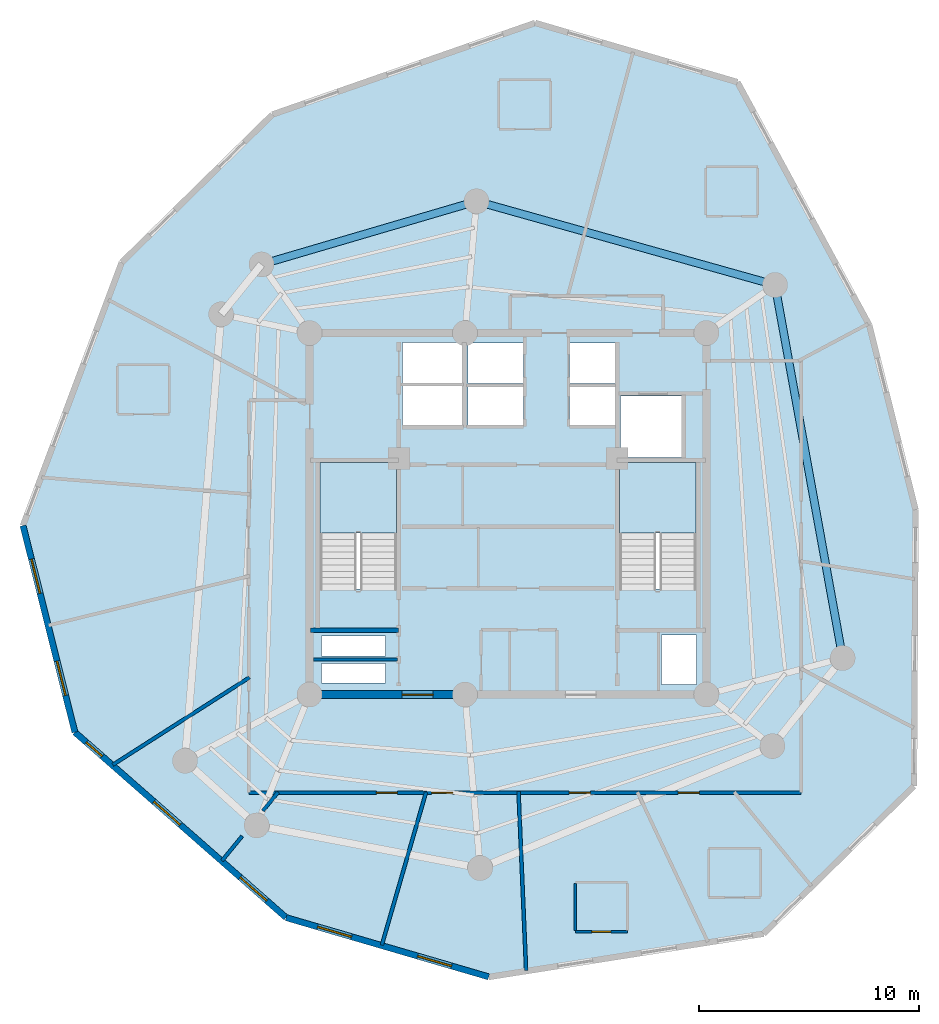
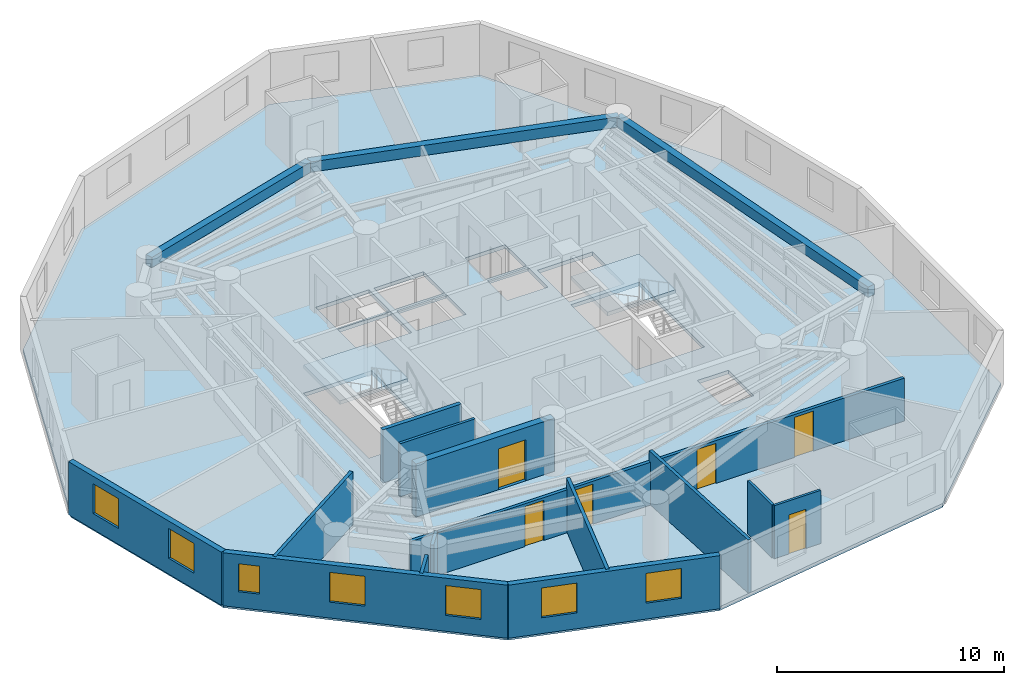
# One storey, part 2 of 7: 14 walls, 7 windows, 6 doors, 3 beams, 3 slabs, 13 openings, 2 elements without a shape of their own.
"""IFC4 building model written with IfcOpenShell, lengths in metres."""

import ifcopenshell
import ifcopenshell.guid

model = None  # the IFC model being written
_history = None  # IfcOwnerHistory: only IFC2X3 demands one
_inside = {}  # id of a spatial element -> (the spatial element, [elements in it])
_under = {}  # id of a project, library or spatial element -> (it, [spatial elements below it])
_declared = {}  # id of a project -> (the project, [libraries it declares])
_typed = {}  # id of a type object -> (the type object, [elements of that type])
_made_of = {}  # id of a material, layer set ... -> (it, [elements and type objects made of it])


def new_model(schema):
    """Start an empty IFC model of exactly this schema.

    Asked for "IFC4X3", IfcOpenShell would pick the latest addendum, in which some entities
    have other attributes; the version numbers below select the first issue.
    IFC2X3 requires an IfcOwnerHistory on every rooted entity: one is made here for all.
    """
    global model, _history
    if schema == "IFC4X3":
        model = ifcopenshell.file(schema_version=(4, 3, 0, 0))
    else:
        model = ifcopenshell.file(schema=schema)
    _inside.clear()
    _under.clear()
    _declared.clear()
    _typed.clear()
    _made_of.clear()
    _history = None
    if model.schema == "IFC2X3":
        org = make("IfcOrganization", Name="unknown")
        user = make(
            "IfcPersonAndOrganization",
            ThePerson=make("IfcPerson", FamilyName="unknown"),
            TheOrganization=org,
        )
        app = make(
            "IfcApplication",
            ApplicationDeveloper=org,
            Version="unknown",
            ApplicationFullName="unknown",
            ApplicationIdentifier="unknown",
        )
        _history = make(
            "IfcOwnerHistory",
            OwningUser=user,
            OwningApplication=app,
            ChangeAction="ADDED",
            CreationDate=0,
        )
    return model


def make(cls, **values):
    """One entity of the class cls with the attributes given. An attribute that is None is left unset."""
    return model.create_entity(
        cls, **{name: value for name, value in values.items() if value is not None}
    )


def rooted(cls, **values):
    """An entity with a GlobalId (a new one), such as an element, a storey or a relation."""
    return make(cls, GlobalId=ifcopenshell.guid.new(), OwnerHistory=_history, **values)


def si_unit(unit_type, name, prefix=None):
    """IfcSIUnit, for example si_unit("LENGTHUNIT", "METRE", prefix="MILLI")."""
    return make("IfcSIUnit", UnitType=unit_type, Prefix=prefix, Name=name)


def assignment(units):
    """IfcUnitAssignment: the units of a project."""
    return None if units is None else make("IfcUnitAssignment", Units=units)


def point(xyz):
    """IfcCartesianPoint."""
    return None if xyz is None else make("IfcCartesianPoint", Coordinates=xyz)


def direction(xyz):
    """IfcDirection."""
    return None if xyz is None else make("IfcDirection", DirectionRatios=xyz)


def frame(location, z_axis=None, x_axis=None):
    """IfcAxis2Placement3D, a coordinate frame: its origin and axes. An axis left out is left unset."""
    return make(
        "IfcAxis2Placement3D",
        Location=point(location),
        Axis=direction(z_axis),
        RefDirection=direction(x_axis),
    )


def frame_2d(location, x_axis=None):
    """IfcAxis2Placement2D, a coordinate frame in the plane: its origin and x axis."""
    return make(
        "IfcAxis2Placement2D", Location=point(location), RefDirection=direction(x_axis)
    )


def origin():
    """The frame at (0, 0, 0) with its axes left unset."""
    return frame((0.0, 0.0, 0.0))


def origin_with_axes():
    """The frame at (0, 0, 0) with the z axis (0, 0, 1) and the x axis (1, 0, 0) written out."""
    return frame((0.0, 0.0, 0.0), z_axis=(0.0, 0.0, 1.0), x_axis=(1.0, 0.0, 0.0))


def origin_2d():
    """The frame at (0, 0) in the plane with its x axis left unset."""
    return frame_2d((0.0, 0.0))


def place(relative_to, where):
    """IfcLocalPlacement: puts the frame where relative to a parent placement (None: the world)."""
    return make(
        "IfcLocalPlacement", PlacementRelTo=relative_to, RelativePlacement=where
    )


def context(
    kind, dimensions, precision=None, world=None, true_north=None, identifier=None
):
    """IfcGeometricRepresentationContext, for example the 3D "Model" context."""
    return make(
        "IfcGeometricRepresentationContext",
        ContextIdentifier=identifier,
        ContextType=kind,
        CoordinateSpaceDimension=dimensions,
        Precision=precision,
        WorldCoordinateSystem=world,
        TrueNorth=true_north,
    )


def subcontext(parent, identifier, kind, view, scale=None):
    """IfcGeometricRepresentationSubContext, for example "Body" below "Model"."""
    return make(
        "IfcGeometricRepresentationSubContext",
        ContextIdentifier=identifier,
        ContextType=kind,
        ParentContext=parent,
        TargetScale=scale,
        TargetView=view,
    )


def project(units=None, contexts=None):
    """IfcProject with its units and contexts."""
    return rooted(
        "IfcProject",
        Name="project",
        RepresentationContexts=contexts,
        UnitsInContext=assignment(units),
    )


def spatial(cls, under=None, at=None, **own):
    """A site, building, storey or space (cls), placed at a placement, below another one or the project."""
    s = rooted(cls, ObjectPlacement=at, **own)
    if under is not None:
        _under.setdefault(under.id(), (under, []))[1].append(s)
    return s


def polyline(points):
    """IfcPolyline through the points."""
    return make("IfcPolyline", Points=[point(p) for p in points])


def profile(cls, at=None, kind="AREA", **sizes):
    """A parametric profile (cls). Its sizes go by their IFC names, for example OverallWidth=200.0."""
    return make(cls, ProfileType=kind, Position=at, **sizes)


def rectangle(**sizes):
    """IfcRectangleProfileDef."""
    return profile("IfcRectangleProfileDef", **sizes)


def outline(outer, holes=None, kind="AREA"):
    """IfcArbitraryClosedProfileDef: a profile drawn as a closed curve; with holes, ...WithVoids."""
    if holes is None:
        return make("IfcArbitraryClosedProfileDef", ProfileType=kind, OuterCurve=outer)
    return make(
        "IfcArbitraryProfileDefWithVoids",
        ProfileType=kind,
        OuterCurve=outer,
        InnerCurves=holes,
    )


def extrude(swept, where, along, depth):
    """IfcExtrudedAreaSolid: the profile swept, set in the frame where, extruded along a direction by depth."""
    return make(
        "IfcExtrudedAreaSolid",
        SweptArea=swept,
        Position=where,
        ExtrudedDirection=direction(along),
        Depth=depth,
    )


def shape(context_of_items, identifier, shape_type, items):
    """IfcShapeRepresentation: the items that make up one representation, for example the "Body"."""
    return make(
        "IfcShapeRepresentation",
        ContextOfItems=context_of_items,
        RepresentationIdentifier=identifier,
        RepresentationType=shape_type,
        Items=items,
    )


def source(mapping_origin, context_of_items, identifier, shape_type, items):
    """IfcRepresentationMap: a shape defined once, which mapped items show again and again."""
    return make(
        "IfcRepresentationMap",
        MappingOrigin=mapping_origin,
        MappedRepresentation=shape(context_of_items, identifier, shape_type, items),
    )


def transform(
    local_origin,
    x_axis=None,
    y_axis=None,
    z_axis=None,
    scale=None,
    scale2=None,
    scale3=None,
    uniform=True,
):
    """IfcCartesianTransformationOperator3D, or its non-uniform kind. x_axis, y_axis, z_axis: its Axis1, 2, 3."""
    if uniform:
        return make(
            "IfcCartesianTransformationOperator3D",
            Axis1=direction(x_axis),
            Axis2=direction(y_axis),
            LocalOrigin=point(local_origin),
            Scale=scale,
            Axis3=direction(z_axis),
        )
    return make(
        "IfcCartesianTransformationOperator3DnonUniform",
        Axis1=direction(x_axis),
        Axis2=direction(y_axis),
        LocalOrigin=point(local_origin),
        Scale=scale,
        Axis3=direction(z_axis),
        Scale2=scale2,
        Scale3=scale3,
    )


def mapped(mapping_source, mapping_target):
    """IfcMappedItem: shows the shape of a source again, moved by a transform."""
    return make(
        "IfcMappedItem", MappingSource=mapping_source, MappingTarget=mapping_target
    )


def material(Name=None, Category=None):
    """IfcMaterial."""
    return make("IfcMaterial", Name=Name, Category=Category)


def layer(
    of_material, thickness, ventilated=None, Name=None, Category=None, Priority=None
):
    """IfcMaterialLayer: one layer of a wall or slab, of a material (None: an air gap)."""
    return make(
        "IfcMaterialLayer",
        Material=of_material,
        LayerThickness=thickness,
        IsVentilated=ventilated,
        Name=Name,
        Category=Category,
        Priority=Priority,
    )


def layer_set(layers, Name=None):
    """IfcMaterialLayerSet."""
    return make("IfcMaterialLayerSet", MaterialLayers=layers, LayerSetName=Name)


def material_profile(
    of_material, cross_section, Name=None, Category=None, Priority=None
):
    """IfcMaterialProfile: a cross section and its material."""
    return make(
        "IfcMaterialProfile",
        Name=Name,
        Material=of_material,
        Profile=cross_section,
        Priority=Priority,
        Category=Category,
    )


def profile_set(profiles, Name=None, composite=None):
    """IfcMaterialProfileSet."""
    return make(
        "IfcMaterialProfileSet",
        Name=Name,
        MaterialProfiles=profiles,
        CompositeProfile=composite,
    )


def made_of(thing, what):
    """Note that an element or type object is made of a material, layer set ...; save() writes the relation."""
    if what is not None:
        _made_of.setdefault(what.id(), (what, []))[1].append(thing)
    return thing


def type_object(cls, material=None, **own):
    """A type object (cls), such as IfcWallType, which elements share."""
    return made_of(rooted(cls, **own), material)


def element(
    cls,
    number,
    at=None,
    inside=None,
    cuts=None,
    type_object=None,
    material=None,
    context=None,
    identifier="Body",
    shape_type=None,
    held_by="IfcProductDefinitionShape",
    body=None,
    shapes=None,
    **own,
):
    """One element of the class cls, such as IfcWall. Its Tag is "e" and its number.

    at: its placement. inside: the storey or other place that contains it. cuts: it is an
    opening in that element (IfcRelVoidsElement). A single representation is given by context,
    identifier, shape_type and body (its items); several are given by shapes. held_by: the class
    of the entity that holds the representations. save() writes the other relations.
    """
    e = rooted(cls, Tag="e%d" % number, ObjectPlacement=at, **own)
    if body is not None:
        shapes = [shape(context, identifier, shape_type, body)]
    if shapes is not None:
        e.Representation = make(held_by, Representations=shapes)
    if inside is not None:
        _inside.setdefault(inside.id(), (inside, []))[1].append(e)
    if cuts is not None:
        rooted(
            "IfcRelVoidsElement", RelatingBuildingElement=cuts, RelatedOpeningElement=e
        )
    if type_object is not None:
        _typed.setdefault(type_object.id(), (type_object, []))[1].append(e)
    return made_of(e, material)


def fill(opening, filler):
    """IfcRelFillsElement: the door or window that sits in an opening."""
    return rooted(
        "IfcRelFillsElement",
        RelatingOpeningElement=opening,
        RelatedBuildingElement=filler,
    )


def aggregate(whole, parts):
    """IfcRelAggregates: a whole, such as a stair, and the parts it consists of."""
    return rooted("IfcRelAggregates", RelatingObject=whole, RelatedObjects=parts)


def save(model, path):
    """Write the relations noted so far, then the file.

    IfcRelAggregates (storeys below a building ...), IfcRelContainedInSpatialStructure (elements
    in a storey), IfcRelDefinesByType, IfcRelAssociatesMaterial and IfcRelDeclares: one each for
    every whole, place, type object, material and project.
    """
    for whole, parts in _under.values():
        aggregate(whole, parts)
    for where, things in _inside.values():
        rooted(
            "IfcRelContainedInSpatialStructure",
            RelatedElements=things,
            RelatingStructure=where,
        )
    for kind, things in _typed.values():
        rooted("IfcRelDefinesByType", RelatedObjects=things, RelatingType=kind)
    for what, things in _made_of.values():
        rooted("IfcRelAssociatesMaterial", RelatedObjects=things, RelatingMaterial=what)
    for by, libraries in _declared.values():
        rooted("IfcRelDeclares", RelatingContext=by, RelatedDefinitions=libraries)
    model.write(path)


model = new_model("IFC4")

# Units and contexts
model_context = context("Model", 3, precision=1e-05, world=origin(), true_north=direction((0.0, 1.0)))
body_context = subcontext(model_context, "Body", "Model", "MODEL_VIEW")
ifc_project = project(units=[si_unit("LENGTHUNIT", "METRE"), si_unit("AREAUNIT", "SQUARE_METRE"), si_unit("VOLUMEUNIT", "CUBIC_METRE"), si_unit("PLANEANGLEUNIT", "RADIAN"), si_unit("MASSUNIT", "GRAM", prefix="KILO")], contexts=[model_context])

# Site, building, storey
site_placement = place(None, origin())
site = spatial("IfcSite", under=ifc_project, at=site_placement, CompositionType="ELEMENT")
building_placement = place(site_placement, origin())
building = spatial("IfcBuilding", under=site, at=building_placement, Name="Karkom Vertical University and Central Library", CompositionType="ELEMENT")
storey_placement = place(building_placement, frame((0.0, 0.0, 223.0)))
storey = spatial("IfcBuildingStorey", under=building, at=storey_placement, Name="L65", CompositionType="ELEMENT", Elevation=223.0)

# Beams
ifc_material_1 = material(Name="Precast concrete C45/55", Category="concrete")
ifc_material_profile = material_profile(ifc_material_1, rectangle(XDim=0.35009765625, YDim=0.550048828125, at=origin_2d()), Name="SPB-350x550")
ifc_profile_set = profile_set([ifc_material_profile], Name="Precast concrete C45/55")
beam_type = type_object("IfcBeamType", Name="STR-BM-SP-2", PredefinedType="SPANDREL", material=ifc_profile_set)
shared_shape_1 = source(origin_with_axes(), body_context, "Body", "SweptSolid", [
    extrude(rectangle(XDim=0.35009765625, YDim=0.550048828125, at=origin_2d()), origin(), (0.0, 0.0, 1.0), 17.19970703125),
])
beam_1_placement = place(storey_placement, frame((43.681884765625, 19.9560546875, 2.574951171875), z_axis=(-0.178423249727, 0.983953832228, 0.0), x_axis=(-0.983953832228, -0.178423249727, 0.0)))
element("IfcBeam", 1, at=beam_1_placement, inside=storey, type_object=beam_type, Name="Level 65 Perimeter Spandrel Beam 01", PredefinedType="SPANDREL", context=body_context, shape_type="MappedRepresentation", body=[
    mapped(shared_shape_1, transform((0.0, 0.0, 0.0), scale=1.0)),
])
shared_shape_2 = source(origin_with_axes(), body_context, "Body", "SweptSolid", [
    extrude(rectangle(XDim=0.35009765625, YDim=0.550048828125, at=origin_2d()), origin(), (0.0, 0.0, 1.0), 14.0625),
])
beam_2_placement = place(storey_placement, frame((40.613037109375, 36.8798828125, 2.574951171875), z_axis=(-0.962854853531, 0.270019501207, 0.0), x_axis=(-0.270019501207, -0.962854853531, 0.0)))
element("IfcBeam", 2, at=beam_2_placement, inside=storey, type_object=beam_type, Name="Level 65 Perimeter Spandrel Beam 02", PredefinedType="SPANDREL", context=body_context, shape_type="MappedRepresentation", body=[
    mapped(shared_shape_2, transform((0.0, 0.0, 0.0), scale=1.0)),
])
shared_shape_3 = source(origin_with_axes(), body_context, "Body", "SweptSolid", [
    extrude(rectangle(XDim=0.35009765625, YDim=0.550048828125, at=origin_2d()), origin(), (0.0, 0.0, 1.0), 10.164794921875),
])
beam_3_placement = place(storey_placement, frame((27.072998046875, 40.677001953125, 2.574951171875), z_axis=(-0.959485124536, -0.281759286971, 0.0), x_axis=(0.281759286971, -0.959485124536, 0.0)))
element("IfcBeam", 3, at=beam_3_placement, inside=storey, type_object=beam_type, Name="Level 65 Perimeter Spandrel Beam 03", PredefinedType="SPANDREL", context=body_context, shape_type="MappedRepresentation", body=[
    mapped(shared_shape_3, transform((0.0, 0.0, 0.0), scale=1.0)),
])

# Stair, slab
ifc_material_2 = material(Name="Concrete C45/55", Category="concrete")
stair_type = type_object("IfcStairType", Name="INT-STR-ST-MAIN", PredefinedType="HALF_TURN_STAIR", material=ifc_material_2)
stair_1_placement = place(storey_placement, origin())
stair_1 = element("IfcStair", 4, at=stair_1_placement, inside=storey, type_object=stair_type, Name="Level 65 Tower Protected Exit Stair ST-1", PredefinedType="HALF_TURN_STAIR")
ifc_layer_1 = layer(ifc_material_2, 0.199951171875)
ifc_layer_set_1 = layer_set([ifc_layer_1], Name="Concrete C45/55")
slab_type_1 = type_object("IfcSlabType", Name="INT-SLB-LANDING", PredefinedType="LANDING", material=ifc_layer_set_1)
slab_1_placement = place(storey_placement, frame((0.0, 0.0, 1.324951171875)))
slab_1 = element("IfcSlab", 5, at=slab_1_placement, type_object=slab_type_1, Name="ST-1 landing 1", PredefinedType="LANDING", context=body_context, shape_type="SweptSolid", body=[
    extrude(outline(polyline([(23.43994140625, 25.6298828125), (23.43994140625, 28.820068359375), (19.97998046875, 28.820068359375), (19.97998046875, 25.6298828125), (23.43994140625, 25.6298828125)])), origin(), (0.0, 0.0, 1.0), 0.199951171875),
])
aggregate(stair_1, [slab_1])

stair_2_placement = place(storey_placement, origin())
stair_2 = element("IfcStair", 6, at=stair_2_placement, inside=storey, type_object=stair_type, Name="Level 65 Tower Protected Exit Stair ST-2", PredefinedType="HALF_TURN_STAIR")
slab_2_placement = place(storey_placement, frame((0.0, 0.0, 1.324951171875)))
slab_2 = element("IfcSlab", 7, at=slab_2_placement, type_object=slab_type_1, Name="ST-2 landing 1", PredefinedType="LANDING", context=body_context, shape_type="SweptSolid", body=[
    extrude(outline(polyline([(37.02001953125, 25.6298828125), (37.02001953125, 28.820068359375), (33.56005859375, 28.820068359375), (33.56005859375, 25.6298828125), (37.02001953125, 25.6298828125)])), origin(), (0.0, 0.0, 1.0), 0.199951171875),
])
aggregate(stair_2, [slab_2])

# Slab
ifc_material_3 = material(Name="Concrete C40/50", Category="concrete")
ifc_layer_2 = layer(ifc_material_3, 0.199951171875)
ifc_layer_set_2 = layer_set([ifc_layer_2], Name="Concrete C40/50")
slab_type_2 = type_object("IfcSlabType", Name="STR-SLB-FLR-200", PredefinedType="FLOOR", material=ifc_layer_set_2)
slab_3_placement = place(storey_placement, frame((0.0, 0.0, -0.199951171875)))
element("IfcSlab", 8, at=slab_3_placement, inside=storey, type_object=slab_type_2, Name="Level 65 Tower Structural Floor Slab", PredefinedType="FLOOR", context=body_context, shape_type="SweptSolid", body=[
    extrude(outline(polyline([(6.50146484375, 25.96484375), (8.852783203125, 16.58984375), (18.435791015625, 8.179931640625), (27.626708984375, 5.491943359375), (40.093994140625, 7.45361328125), (46.914306640625, 14.146484375), (46.985107421875, 26.68798828125), (44.8857421875, 35.05810546875), (38.904541015625, 46.08154296875), (29.733154296875, 48.763671875), (17.815673828125, 44.609375), (10.981201171875, 37.902099609375), (6.50146484375, 25.96484375)]), holes=[polyline([(19.97998046875, 23.0849609375), (23.43994140625, 23.0849609375), (23.43994140625, 28.820068359375), (19.97998046875, 28.820068359375), (19.97998046875, 23.0849609375)]), polyline([(33.56005859375, 23.0849609375), (37.02001953125, 23.0849609375), (37.02001953125, 28.820068359375), (33.56005859375, 28.820068359375), (33.56005859375, 23.0849609375)]), polyline([(26.679931640625, 30.5), (29.199951171875, 30.5), (29.199951171875, 32.25), (26.679931640625, 32.25), (26.679931640625, 30.5)]), polyline([(26.679931640625, 32.39990234375), (29.199951171875, 32.39990234375), (29.199951171875, 34.25), (26.679931640625, 34.25), (26.679931640625, 32.39990234375)]), polyline([(31.300048828125, 30.5), (33.35009765625, 30.5), (33.35009765625, 32.25), (31.300048828125, 32.25), (31.300048828125, 30.5)]), polyline([(31.300048828125, 32.39990234375), (33.35009765625, 32.39990234375), (33.35009765625, 34.25), (31.300048828125, 34.25), (31.300048828125, 32.39990234375)]), polyline([(23.719970703125, 30.47998046875), (26.429931640625, 30.47998046875), (26.429931640625, 32.320068359375), (23.719970703125, 32.320068359375), (23.719970703125, 30.47998046875)]), polyline([(23.719970703125, 32.419921875), (26.429931640625, 32.419921875), (26.429931640625, 34.260009765625), (23.719970703125, 34.260009765625), (23.719970703125, 32.419921875)]), polyline([(33.60009765625, 29.050048828125), (36.39990234375, 29.050048828125), (36.39990234375, 31.85009765625), (33.60009765625, 31.85009765625), (33.60009765625, 29.050048828125)]), polyline([(20.050048828125, 18.820068359375), (22.949951171875, 18.820068359375), (22.949951171875, 19.719970703125), (20.050048828125, 19.719970703125), (20.050048828125, 18.820068359375)]), polyline([(20.050048828125, 20.06005859375), (22.949951171875, 20.06005859375), (22.949951171875, 20.9599609375), (20.050048828125, 20.9599609375), (20.050048828125, 20.06005859375)]), polyline([(35.4599609375, 18.760009765625), (37.0400390625, 18.760009765625), (37.0400390625, 21.010009765625), (35.4599609375, 21.010009765625), (35.4599609375, 18.760009765625)])]), origin(), (0.0, 0.0, 1.0), 0.199951171875),
])

# Wall, openings, windows
ifc_material_4 = material(Name="Brick-faced precast concrete C45/55", Category="masonry")
ifc_layer_3 = layer(ifc_material_4, 0.280029296875)
ifc_layer_set_3 = layer_set([ifc_layer_3], Name="Brick-faced precast concrete C45/55")
wall_type_1 = type_object("IfcWallType", Name="ENV-WL-BRK-280", PredefinedType="SOLIDWALL", material=ifc_layer_set_3)
wall_1_placement = place(storey_placement, frame((6.50146484375, 25.96484375, 0.0), z_axis=(0.0, 0.0, 1.0), x_axis=(0.243272532929, -0.969957975751, 0.0)))
wall_1 = element("IfcWall", 9, at=wall_1_placement, inside=storey, type_object=wall_type_1, Name="Level 65 Brick-Faced Precast Facade Wall 01", PredefinedType="SOLIDWALL", context=body_context, shape_type="SweptSolid", body=[
    extrude(rectangle(XDim=9.665283203125, YDim=0.280029296875, at=frame_2d((4.83251953125, 0.0))), origin(), (0.0, 0.0, 1.0), 2.85009765625),
])
opening_1_placement = place(wall_1_placement, frame((1.5673828125, 0.0, 0.85009765625)))
opening_1 = element("IfcOpeningElement", 10, at=opening_1_placement, cuts=wall_1, Name="Opening WN-10", PredefinedType="OPENING", context=body_context, shape_type="SweptSolid", body=[
    extrude(rectangle(XDim=1.60009765625, YDim=1.60009765625, at=frame_2d((0.800048828125, 0.800048828125))), frame((0.0, 0.14990234375, 0.0), z_axis=(0.0, -1.0, 0.0), x_axis=(1.0, 0.0, 0.0)), (0.0, 0.0, 1.0), 0.300048828125),
])
opening_2_placement = place(wall_1_placement, frame((6.340087890625, 0.0, 0.85009765625)))
opening_2 = element("IfcOpeningElement", 11, at=opening_2_placement, cuts=wall_1, Name="Opening WN-10", PredefinedType="OPENING", context=body_context, shape_type="SweptSolid", body=[
    extrude(rectangle(XDim=1.60009765625, YDim=1.60009765625, at=frame_2d((0.800048828125, 0.800048828125))), frame((0.0, 0.14990234375, 0.0), z_axis=(0.0, -1.0, 0.0), x_axis=(1.0, 0.0, 0.0)), (0.0, 0.0, 1.0), 0.300048828125),
])
ifc_material_5 = material(Name="Aluminium thermal-break frame with solar-control IGU", Category="aluminium")
window_type_1 = type_object("IfcWindowType", Name="ENV-WIN-WN-10", PartitioningType="SINGLE_PANEL", PredefinedType="WINDOW", material=ifc_material_5)
shared_shape_4 = source(origin_with_axes(), body_context, "Body", "SweptSolid", [
    extrude(rectangle(XDim=1.60009765625, YDim=1.60009765625, at=frame_2d((0.800048828125, 0.800048828125))), frame((0.0, 0.030029296875, 0.0), z_axis=(0.0, -1.0, 0.0), x_axis=(1.0, 0.0, 0.0)), (0.0, 0.0, 1.0), 0.06005859375),
])
window_1_placement = place(opening_1_placement, origin())
window_1 = element("IfcWindow", 12, at=window_1_placement, inside=storey, type_object=window_type_1, Name="Level 65 Punched Window 1.1", OverallHeight=1.60009765625, OverallWidth=1.60009765625, PartitioningType="SINGLE_PANEL", PredefinedType="WINDOW", context=body_context, shape_type="MappedRepresentation", body=[
    mapped(shared_shape_4, transform((0.0, 0.0, 0.0), scale=1.0)),
])
fill(opening_1, window_1)
window_2_placement = place(opening_2_placement, origin())
window_2 = element("IfcWindow", 13, at=window_2_placement, inside=storey, type_object=window_type_1, Name="Level 65 Punched Window 1.2", OverallHeight=1.60009765625, OverallWidth=1.60009765625, PartitioningType="SINGLE_PANEL", PredefinedType="WINDOW", context=body_context, shape_type="MappedRepresentation", body=[
    mapped(shared_shape_4, transform((0.0, 0.0, 0.0), scale=1.0)),
])
fill(opening_2, window_2)

wall_2_placement = place(storey_placement, frame((8.852783203125, 16.58984375, 0.0), z_axis=(0.0, 0.0, 1.0), x_axis=(0.751612708567, -0.659604681851, 0.0)))
wall_2 = element("IfcWall", 14, at=wall_2_placement, inside=storey, type_object=wall_type_1, Name="Level 65 Brick-Faced Precast Facade Wall 02", PredefinedType="SOLIDWALL", context=body_context, shape_type="SweptSolid", body=[
    extrude(rectangle(XDim=12.75, YDim=0.280029296875, at=frame_2d((6.375, 0.0))), origin(), (0.0, 0.0, 1.0), 2.85009765625),
])
opening_3_placement = place(wall_2_placement, frame((0.69384765625, 0.0, 0.85009765625)))
opening_3 = element("IfcOpeningElement", 15, at=opening_3_placement, cuts=wall_2, Name="Opening WN-12", PredefinedType="OPENING", context=body_context, shape_type="SweptSolid", body=[
    extrude(rectangle(XDim=0.949951171875, YDim=1.5, at=frame_2d((0.47509765625, 0.75))), frame((0.0, 0.14990234375, 0.0), z_axis=(0.0, -1.0, 0.0), x_axis=(1.0, 0.0, 0.0)), (0.0, 0.0, 1.0), 0.300048828125),
])
opening_4_placement = place(wall_2_placement, frame((4.76806640625, 0.0, 0.85009765625)))
opening_4 = element("IfcOpeningElement", 16, at=opening_4_placement, cuts=wall_2, Name="Opening WN-10", PredefinedType="OPENING", context=body_context, shape_type="SweptSolid", body=[
    extrude(rectangle(XDim=1.60009765625, YDim=1.60009765625, at=frame_2d((0.800048828125, 0.800048828125))), frame((0.0, 0.14990234375, 0.0), z_axis=(0.0, -1.0, 0.0), x_axis=(1.0, 0.0, 0.0)), (0.0, 0.0, 1.0), 0.300048828125),
])
opening_5_placement = place(wall_2_placement, frame((9.97412109375, 0.0, 0.85009765625)))
opening_5 = element("IfcOpeningElement", 17, at=opening_5_placement, cuts=wall_2, Name="Opening WN-10", PredefinedType="OPENING", context=body_context, shape_type="SweptSolid", body=[
    extrude(rectangle(XDim=1.60009765625, YDim=1.60009765625, at=frame_2d((0.800048828125, 0.800048828125))), frame((0.0, 0.14990234375, 0.0), z_axis=(0.0, -1.0, 0.0), x_axis=(1.0, 0.0, 0.0)), (0.0, 0.0, 1.0), 0.300048828125),
])
window_type_2 = type_object("IfcWindowType", Name="ENV-WIN-WN-12", PartitioningType="SINGLE_PANEL", PredefinedType="WINDOW", material=ifc_material_5)
shared_shape_5 = source(origin_with_axes(), body_context, "Body", "SweptSolid", [
    extrude(rectangle(XDim=0.949951171875, YDim=1.5, at=frame_2d((0.47509765625, 0.75))), frame((0.0, 0.030029296875, 0.0), z_axis=(0.0, -1.0, 0.0), x_axis=(1.0, 0.0, 0.0)), (0.0, 0.0, 1.0), 0.06005859375),
])
window_3_placement = place(opening_3_placement, origin())
window_3 = element("IfcWindow", 18, at=window_3_placement, inside=storey, type_object=window_type_2, Name="Level 65 Punched Window 2.1", OverallHeight=1.5, OverallWidth=0.949951171875, PartitioningType="SINGLE_PANEL", PredefinedType="WINDOW", context=body_context, shape_type="MappedRepresentation", body=[
    mapped(shared_shape_5, transform((0.0, 0.0, 0.0), scale=1.0)),
])
fill(opening_3, window_3)
window_4_placement = place(opening_4_placement, origin())
window_4 = element("IfcWindow", 19, at=window_4_placement, inside=storey, type_object=window_type_1, Name="Level 65 Punched Window 2.2", OverallHeight=1.60009765625, OverallWidth=1.60009765625, PartitioningType="SINGLE_PANEL", PredefinedType="WINDOW", context=body_context, shape_type="MappedRepresentation", body=[
    mapped(shared_shape_4, transform((0.0, 0.0, 0.0), scale=1.0)),
])
fill(opening_4, window_4)
window_5_placement = place(opening_5_placement, origin())
window_5 = element("IfcWindow", 20, at=window_5_placement, inside=storey, type_object=window_type_1, Name="Level 65 Punched Window 2.3", OverallHeight=1.60009765625, OverallWidth=1.60009765625, PartitioningType="SINGLE_PANEL", PredefinedType="WINDOW", context=body_context, shape_type="MappedRepresentation", body=[
    mapped(shared_shape_4, transform((0.0, 0.0, 0.0), scale=1.0)),
])
fill(opening_5, window_5)

wall_3_placement = place(storey_placement, frame((18.435791015625, 8.179931640625, 0.0), z_axis=(0.0, 0.0, 1.0), x_axis=(0.95979471993, -0.28070285997, 0.0)))
wall_3 = element("IfcWall", 21, at=wall_3_placement, inside=storey, type_object=wall_type_1, Name="Level 65 Brick-Faced Precast Facade Wall 03", PredefinedType="SOLIDWALL", context=body_context, shape_type="SweptSolid", body=[
    extrude(rectangle(XDim=9.575927734375, YDim=0.280029296875, at=frame_2d((4.7880859375, 0.0))), origin(), (0.0, 0.0, 1.0), 2.85009765625),
])
opening_6_placement = place(wall_3_placement, frame((1.48828125, 0.0, 0.85009765625)))
opening_6 = element("IfcOpeningElement", 22, at=opening_6_placement, cuts=wall_3, Name="Opening WN-10", PredefinedType="OPENING", context=body_context, shape_type="SweptSolid", body=[
    extrude(rectangle(XDim=1.60009765625, YDim=1.60009765625, at=frame_2d((0.800048828125, 0.800048828125))), frame((0.0, 0.14990234375, 0.0), z_axis=(0.0, -1.0, 0.0), x_axis=(1.0, 0.0, 0.0)), (0.0, 0.0, 1.0), 0.300048828125),
])
opening_7_placement = place(wall_3_placement, frame((6.216552734375, 0.0, 0.85009765625)))
opening_7 = element("IfcOpeningElement", 23, at=opening_7_placement, cuts=wall_3, Name="Opening WN-10", PredefinedType="OPENING", context=body_context, shape_type="SweptSolid", body=[
    extrude(rectangle(XDim=1.60009765625, YDim=1.60009765625, at=frame_2d((0.800048828125, 0.800048828125))), frame((0.0, 0.14990234375, 0.0), z_axis=(0.0, -1.0, 0.0), x_axis=(1.0, 0.0, 0.0)), (0.0, 0.0, 1.0), 0.300048828125),
])
window_6_placement = place(opening_6_placement, origin())
window_6 = element("IfcWindow", 24, at=window_6_placement, inside=storey, type_object=window_type_1, Name="Level 65 Punched Window 3.1", OverallHeight=1.60009765625, OverallWidth=1.60009765625, PartitioningType="SINGLE_PANEL", PredefinedType="WINDOW", context=body_context, shape_type="MappedRepresentation", body=[
    mapped(shared_shape_4, transform((0.0, 0.0, 0.0), scale=1.0)),
])
fill(opening_6, window_6)
window_7_placement = place(opening_7_placement, origin())
window_7 = element("IfcWindow", 25, at=window_7_placement, inside=storey, type_object=window_type_1, Name="Level 65 Punched Window 3.2", OverallHeight=1.60009765625, OverallWidth=1.60009765625, PartitioningType="SINGLE_PANEL", PredefinedType="WINDOW", context=body_context, shape_type="MappedRepresentation", body=[
    mapped(shared_shape_4, transform((0.0, 0.0, 0.0), scale=1.0)),
])
fill(opening_7, window_7)

# Wall, openings, doors
ifc_material_6 = material(Name="Insulated metal-stud drywall 160mm", Category="gypsum")
ifc_layer_4 = layer(ifc_material_6, 0.159912109375)
ifc_layer_set_4 = layer_set([ifc_layer_4], Name="Insulated metal-stud drywall 160mm")
wall_type_2 = type_object("IfcWallType", Name="INT-WL-COR-160", PredefinedType="PARTITIONING", material=ifc_layer_set_4)
wall_4_placement = place(storey_placement, frame((41.800048828125, 13.85009765625, 0.0), z_axis=(0.0, 0.0, 1.0), x_axis=(-1.0, 0.0, 0.0)))
wall_4 = element("IfcWall", 26, at=wall_4_placement, inside=storey, type_object=wall_type_2, Name="Level 65 Interior Partition Wall L65-CORW-CW-001", PredefinedType="PARTITIONING", context=body_context, shape_type="SweptSolid", body=[
    extrude(rectangle(XDim=25.050048828125, YDim=0.159912109375, at=frame_2d((12.52490234375, 0.0))), origin(), (0.0, 0.0, 1.0), 2.300048828125),
])
opening_8_placement = place(wall_4_placement, frame((9.563232421875, 0.0, 0.0)))
opening_8 = element("IfcOpeningElement", 27, at=opening_8_placement, cuts=wall_4, Name="Opening FD-RM2", PredefinedType="OPENING", context=body_context, shape_type="SweptSolid", body=[
    extrude(rectangle(XDim=0.9599609375, YDim=2.14990234375, at=frame_2d((0.47998046875, 1.074951171875))), frame((0.0, 0.08984375, 0.0), z_axis=(0.0, -1.0, 0.0), x_axis=(1.0, 0.0, 0.0)), (0.0, 0.0, 1.0), 0.179931640625),
])
opening_9_placement = place(wall_4_placement, frame((4.620849609375, 0.0, 0.0)))
opening_9 = element("IfcOpeningElement", 28, at=opening_9_placement, cuts=wall_4, Name="Opening FD-RM2", PredefinedType="OPENING", context=body_context, shape_type="SweptSolid", body=[
    extrude(rectangle(XDim=0.9599609375, YDim=2.14990234375, at=frame_2d((0.47998046875, 1.074951171875))), frame((0.0, 0.08984375, 0.0), z_axis=(0.0, -1.0, 0.0), x_axis=(1.0, 0.0, 0.0)), (0.0, 0.0, 1.0), 0.179931640625),
])
opening_10_placement = place(wall_4_placement, frame((18.3125, 0.0, 0.0)))
opening_10 = element("IfcOpeningElement", 29, at=opening_10_placement, cuts=wall_4, Name="Opening FD-RM2", PredefinedType="OPENING", context=body_context, shape_type="SweptSolid", body=[
    extrude(rectangle(XDim=0.9599609375, YDim=2.14990234375, at=frame_2d((0.47998046875, 1.074951171875))), frame((0.0, 0.08984375, 0.0), z_axis=(0.0, -1.0, 0.0), x_axis=(1.0, 0.0, 0.0)), (0.0, 0.0, 1.0), 0.179931640625),
])
opening_11_placement = place(wall_4_placement, frame((15.8076171875, 0.0, 0.0)))
opening_11 = element("IfcOpeningElement", 30, at=opening_11_placement, cuts=wall_4, Name="Opening FD-RM2", PredefinedType="OPENING", context=body_context, shape_type="SweptSolid", body=[
    extrude(rectangle(XDim=0.9599609375, YDim=2.14990234375, at=frame_2d((0.47998046875, 1.074951171875))), frame((0.0, 0.08984375, 0.0), z_axis=(0.0, -1.0, 0.0), x_axis=(1.0, 0.0, 0.0)), (0.0, 0.0, 1.0), 0.179931640625),
])
ifc_material_7 = material(Name="Fire-rated oak veneer door", Category="wood")
door_type_1 = type_object("IfcDoorType", Name="INT-DR-FRM2", OperationType="NOTDEFINED", PredefinedType="DOOR", material=ifc_material_7)
shared_shape_6 = source(origin_with_axes(), body_context, "Body", "SweptSolid", [
    extrude(rectangle(XDim=0.9599609375, YDim=2.14990234375, at=frame_2d((0.47998046875, 1.074951171875))), frame((0.0, 0.02490234375, 0.0), z_axis=(0.0, -1.0, 0.0), x_axis=(1.0, 0.0, 0.0)), (0.0, 0.0, 1.0), 0.050048828125),
])
door_1_placement = place(opening_8_placement, origin())
door_1 = element("IfcDoor", 31, at=door_1_placement, inside=storey, type_object=door_type_1, Name="Level 65 Room Entry Door 410", OperationType="SINGLE_SWING_LEFT", OverallHeight=2.14990234375, OverallWidth=0.9599609375, PredefinedType="DOOR", context=body_context, shape_type="MappedRepresentation", body=[
    mapped(shared_shape_6, transform((0.0, 0.0, 0.0), scale=1.0)),
])
fill(opening_8, door_1)
door_2_placement = place(opening_9_placement, origin())
door_2 = element("IfcDoor", 32, at=door_2_placement, inside=storey, type_object=door_type_1, Name="Level 65 Room Entry Door 412", OperationType="SINGLE_SWING_LEFT", OverallHeight=2.14990234375, OverallWidth=0.9599609375, PredefinedType="DOOR", context=body_context, shape_type="MappedRepresentation", body=[
    mapped(shared_shape_6, transform((0.0, 0.0, 0.0), scale=1.0)),
])
fill(opening_9, door_2)
door_3_placement = place(opening_10_placement, origin())
door_3 = element("IfcDoor", 33, at=door_3_placement, inside=storey, type_object=door_type_1, Name="Level 65 Room Entry Door 303", OperationType="SINGLE_SWING_LEFT", OverallHeight=2.14990234375, OverallWidth=0.9599609375, PredefinedType="DOOR", context=body_context, shape_type="MappedRepresentation", body=[
    mapped(shared_shape_6, transform((0.0, 0.0, 0.0), scale=1.0)),
])
fill(opening_10, door_3)
door_4_placement = place(opening_11_placement, origin())
door_4 = element("IfcDoor", 34, at=door_4_placement, inside=storey, type_object=door_type_1, Name="Level 65 Room Entry Door 304", OperationType="SINGLE_SWING_RIGHT", OverallHeight=2.14990234375, OverallWidth=0.9599609375, PredefinedType="DOOR", context=body_context, shape_type="MappedRepresentation", body=[
    mapped(shared_shape_6, transform((0.0, 0.0, 0.0), scale=1.0)),
])
fill(opening_11, door_4)

# Walls
wall_5_placement = place(storey_placement, frame((28.97705078125, 13.89501953125, 0.0), z_axis=(0.0, 0.0, 1.0), x_axis=(0.042554955916, -0.999094127561, 0.0)))
element("IfcWall", 35, at=wall_5_placement, inside=storey, type_object=wall_type_2, Name="Level 65 Interior Partition Wall L65-PW-007", PredefinedType="PARTITIONING", context=body_context, shape_type="SweptSolid", body=[
    extrude(rectangle(XDim=8.117919921875, YDim=0.159912109375, at=frame_2d((4.05908203125, 0.0))), origin(), (0.0, 0.0, 1.0), 2.85009765625),
])
wall_6_placement = place(storey_placement, frame((16.775390625, 19.077392578125, 0.0), z_axis=(0.0, 0.0, 1.0), x_axis=(-0.842599652282, -0.538540458995, 0.0)))
element("IfcWall", 36, at=wall_6_placement, inside=storey, type_object=wall_type_2, Name="Level 65 Interior Partition Wall L65-PW-003", PredefinedType="PARTITIONING", context=body_context, shape_type="SweptSolid", body=[
    extrude(rectangle(XDim=7.358154296875, YDim=0.159912109375, at=frame_2d((3.67919921875, 0.0))), origin(), (0.0, 0.0, 1.0), 2.85009765625),
])
wall_7_placement = place(storey_placement, frame((24.78662109375, 13.87890625, 0.0), z_axis=(0.0, 0.0, 1.0), x_axis=(-0.277900595322, -0.960609837093, 0.0)))
element("IfcWall", 37, at=wall_7_placement, inside=storey, type_object=wall_type_2, Name="Level 65 Interior Partition Wall L65-PW-006", PredefinedType="PARTITIONING", context=body_context, shape_type="SweptSolid", body=[
    extrude(rectangle(XDim=7.2275390625, YDim=0.159912109375, at=frame_2d((3.61376953125, 0.0))), origin(), (0.0, 0.0, 1.0), 2.85009765625),
])
wall_8_placement = place(storey_placement, frame((16.443115234375, 11.880615234375, 0.0), z_axis=(0.0, 0.0, 1.0), x_axis=(-0.633956157385, -0.773368987298, 0.0)))
element("IfcWall", 38, at=wall_8_placement, inside=storey, type_object=wall_type_2, Name="Level 65 Interior Partition Wall L65-PW-005", PredefinedType="PARTITIONING", context=body_context, shape_type="SweptSolid", body=[
    extrude(rectangle(XDim=1.443115234375, YDim=0.159912109375, at=frame_2d((0.7216796875, 0.0))), origin(), (0.0, 0.0, 1.0), 2.85009765625),
])
wall_9_placement = place(storey_placement, frame((18.07568359375, 13.873291015625, 0.0), z_axis=(0.0, 0.0, 1.0), x_axis=(-0.633650360899, -0.773619557749, 0.0)))
element("IfcWall", 39, at=wall_9_placement, inside=storey, type_object=wall_type_2, Name="Level 65 Interior Partition Wall L65-PW-004", PredefinedType="PARTITIONING", context=body_context, shape_type="SweptSolid", body=[
    extrude(rectangle(XDim=1.095458984375, YDim=0.159912109375, at=frame_2d((0.5478515625, 0.0))), origin(), (0.0, 0.0, 1.0), 2.35009765625),
])

# Wall, opening, door
ifc_material_8 = material(Name="Moisture-resistant drywall 120mm", Category="gypsum")
ifc_layer_5 = layer(ifc_material_8, 0.1201171875)
ifc_layer_set_5 = layer_set([ifc_layer_5], Name="Moisture-resistant drywall 120mm")
wall_type_3 = type_object("IfcWallType", Name="INT-WL-INT-120F", PredefinedType="PARTITIONING", material=ifc_layer_set_5)
wall_10_placement = place(storey_placement, frame((31.55810546875, 7.5400390625, 0.0), z_axis=(0.0, 0.0, 1.0), x_axis=(1.0, 0.0, 0.0)))
wall_10 = element("IfcWall", 40, at=wall_10_placement, inside=storey, type_object=wall_type_3, Name="Level 65 Interior Partition Wall L65-ENS-45-S", PredefinedType="PARTITIONING", context=body_context, shape_type="SweptSolid", body=[
    extrude(rectangle(XDim=2.35986328125, YDim=0.1201171875, at=frame_2d((1.179931640625, 0.0))), origin(), (0.0, 0.0, 1.0), 2.85009765625),
])
opening_12_placement = place(wall_10_placement, frame((0.75, 0.0, 0.0)))
opening_12 = element("IfcOpeningElement", 41, at=opening_12_placement, cuts=wall_10, Name="Opening D-BATH", PredefinedType="OPENING", context=body_context, shape_type="SweptSolid", body=[
    extrude(rectangle(XDim=0.860107421875, YDim=2.10009765625, at=frame_2d((0.43017578125, 1.050048828125))), frame((0.0, 0.070068359375, 0.0), z_axis=(0.0, -1.0, 0.0), x_axis=(1.0, 0.0, 0.0)), (0.0, 0.0, 1.0), 0.14013671875),
])
ifc_material_9 = material(Name="Moisture-resistant oak door", Category="wood")
door_type_2 = type_object("IfcDoorType", Name="INT-DR-BATH", OperationType="NOTDEFINED", PredefinedType="DOOR", material=ifc_material_9)
shared_shape_7 = source(origin_with_axes(), body_context, "Body", "SweptSolid", [
    extrude(rectangle(XDim=0.860107421875, YDim=2.10009765625, at=frame_2d((0.43017578125, 1.050048828125))), frame((0.0, 0.02490234375, 0.0), z_axis=(0.0, -1.0, 0.0), x_axis=(1.0, 0.0, 0.0)), (0.0, 0.0, 1.0), 0.050048828125),
])
door_5_placement = place(opening_12_placement, origin())
door_5 = element("IfcDoor", 42, at=door_5_placement, inside=storey, type_object=door_type_2, Name="Level 65 En-Suite Bathroom Door 45", OperationType="SINGLE_SWING_RIGHT", OverallHeight=2.10009765625, OverallWidth=0.860107421875, PredefinedType="DOOR", context=body_context, shape_type="MappedRepresentation", body=[
    mapped(shared_shape_7, transform((0.0, 0.0, 0.0), scale=1.0)),
])
fill(opening_12, door_5)

# Walls
wall_11_placement = place(storey_placement, frame((31.55810546875, 9.72998046875, 0.0), z_axis=(0.0, 0.0, 1.0), x_axis=(0.0, -1.0, 0.0)))
element("IfcWall", 43, at=wall_11_placement, inside=storey, type_object=wall_type_3, Name="Level 65 Interior Partition Wall L65-ENS-45-W", PredefinedType="PARTITIONING", context=body_context, shape_type="SweptSolid", body=[
    extrude(rectangle(XDim=2.139892578125, YDim=0.1201171875, at=frame_2d((1.06982421875, 0.0))), origin(), (0.0, 0.0, 1.0), 2.85009765625),
])
ifc_material_10 = material(Name="Metal-stud gypsum partition 140mm", Category="gypsum")
ifc_layer_6 = layer(ifc_material_10, 0.139892578125)
ifc_layer_set_6 = layer_set([ifc_layer_6], Name="Metal-stud gypsum partition 140mm")
wall_type_4 = type_object("IfcWallType", Name="INT-WL-SUB-140H", PredefinedType="PARTITIONING", material=ifc_layer_set_6)
wall_12_placement = place(storey_placement, frame((19.681884765625, 19.889892578125, 0.0), z_axis=(0.0, 0.0, 1.0), x_axis=(1.0, 0.0, 0.0)))
element("IfcWall", 44, at=wall_12_placement, inside=storey, type_object=wall_type_4, Name="Level 65 Interior Partition Wall L65-CW-RIS-W", PredefinedType="PARTITIONING", context=body_context, shape_type="SweptSolid", body=[
    extrude(rectangle(XDim=3.8154296875, YDim=0.139892578125, at=frame_2d((1.90771484375, 0.0))), origin(), (0.0, 0.0, 1.0), 2.85009765625),
])

# Wall, opening, door
ifc_layer_7 = layer(ifc_material_2, 0.35009765625)
ifc_layer_set_7 = layer_set([ifc_layer_7], Name="Concrete C45/55")
wall_type_5 = type_object("IfcWallType", Name="STR-WL-CW-350", PredefinedType="SHEAR", material=ifc_layer_set_7)
wall_13_placement = place(storey_placement, frame((19.5, 18.300048828125, 0.0), z_axis=(0.0, 0.0, 1.0), x_axis=(1.0, 0.0, 0.0)))
wall_13 = element("IfcWall", 45, at=wall_13_placement, inside=storey, type_object=wall_type_5, Name="Level 65 Central Core Shear Wall SW1", PredefinedType="SHEAR", context=body_context, shape_type="SweptSolid", body=[
    extrude(rectangle(XDim=7.050048828125, YDim=0.35009765625, at=frame_2d((3.52490234375, 0.0))), origin(), (0.0, 0.0, 1.0), 2.85009765625),
])
opening_13_placement = place(wall_13_placement, frame((4.199951171875, 0.0, 0.0)))
opening_13 = element("IfcOpeningElement", 46, at=opening_13_placement, cuts=wall_13, Name="Opening FD-CLB", PredefinedType="OPENING", context=body_context, shape_type="SweptSolid", body=[
    extrude(rectangle(XDim=1.39990234375, YDim=2.199951171875, at=frame_2d((0.699951171875, 1.10009765625))), frame((0.0, 0.18505859375, 0.0), z_axis=(0.0, -1.0, 0.0), x_axis=(1.0, 0.0, 0.0)), (0.0, 0.0, 1.0), 0.3701171875),
])
ifc_material_11 = material(Name="Painted steel fire door", Category="steel")
door_type_3 = type_object("IfcDoorType", Name="INT-DR-CLB", OperationType="DOUBLE_DOOR_SINGLE_SWING", PredefinedType="DOOR", material=ifc_material_11)
shared_shape_8 = source(origin_with_axes(), body_context, "Body", "SweptSolid", [
    extrude(rectangle(XDim=1.39990234375, YDim=2.199951171875, at=frame_2d((0.699951171875, 1.10009765625))), frame((0.0, 0.02490234375, 0.0), z_axis=(0.0, -1.0, 0.0), x_axis=(1.0, 0.0, 0.0)), (0.0, 0.0, 1.0), 0.050048828125),
])
door_6_placement = place(opening_13_placement, origin())
door_6 = element("IfcDoor", 47, at=door_6_placement, inside=storey, type_object=door_type_3, Name="Level 65 South Core Lobby West Exit Door", OperationType="DOUBLE_DOOR_SINGLE_SWING", OverallHeight=2.199951171875, OverallWidth=1.39990234375, PredefinedType="DOOR", context=body_context, shape_type="MappedRepresentation", body=[
    mapped(shared_shape_8, transform((0.0, 0.0, 0.0), scale=1.0)),
])
fill(opening_13, door_6)

# Wall
ifc_layer_8 = layer(ifc_material_2, 0.199951171875)
ifc_layer_set_8 = layer_set([ifc_layer_8], Name="Concrete C45/55")
wall_type_6 = type_object("IfcWallType", Name="STR-WL-ST-200", PredefinedType="SHEAR", material=ifc_layer_set_8)
wall_14_placement = place(storey_placement, frame((19.550048828125, 21.215087890625, 0.0), z_axis=(0.0, 0.0, 1.0), x_axis=(1.0, 0.0, 0.0)))
element("IfcWall", 48, at=wall_14_placement, inside=storey, type_object=wall_type_6, Name="Level 65 Core Shaft Wall L65-CW-ST1-S", PredefinedType="SHEAR", context=body_context, shape_type="SweptSolid", body=[
    extrude(rectangle(XDim=3.994873046875, YDim=0.199951171875, at=frame_2d((1.99755859375, 0.0))), origin(), (0.0, 0.0, 1.0), 2.85009765625),
])

save(model, "model.ifc")
